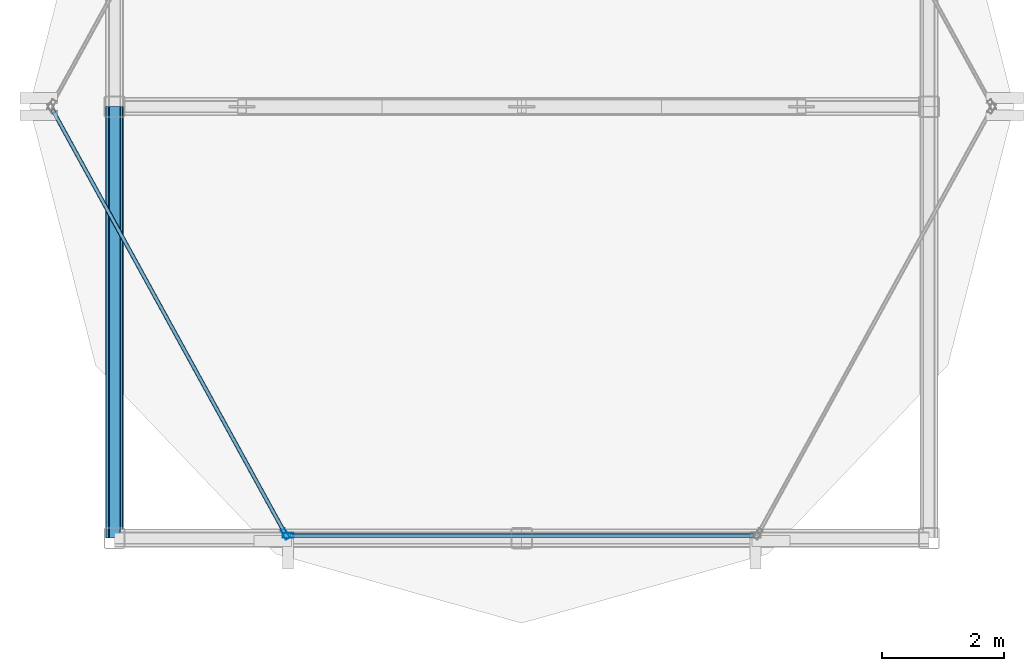
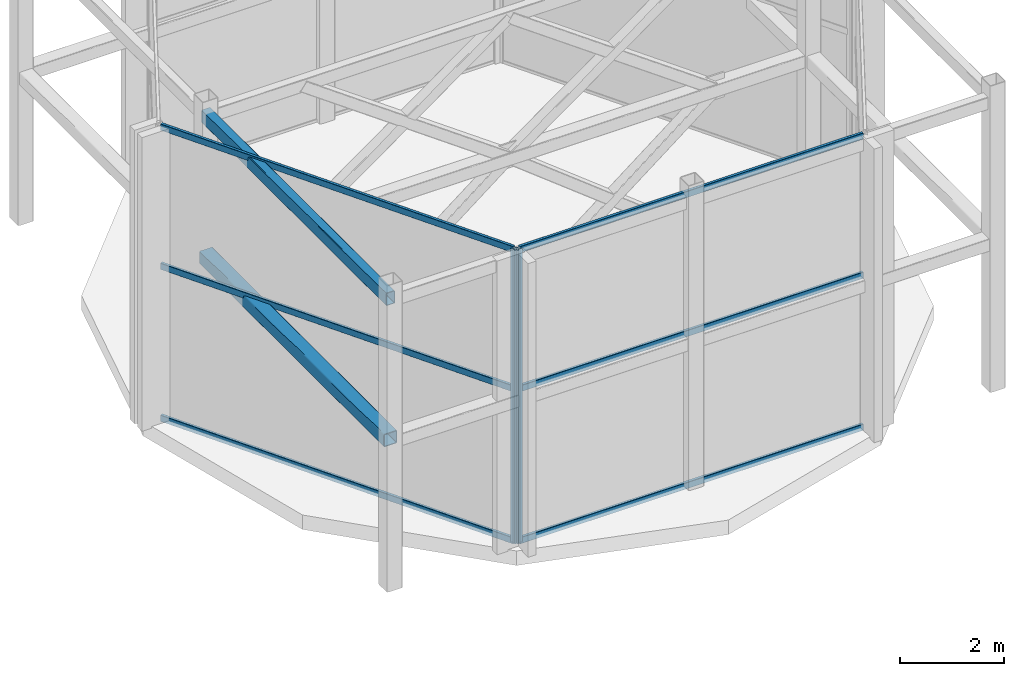
# One storey, part 2 of 8: 8 members, 2 beams, 2 elements without a shape of their own.
"""IFC4 building model written with IfcOpenShell, lengths in metres."""

from ifc_helpers import new_model, si_unit, direction, frame, origin, origin_2d, place, context, subcontext, project, spatial, hollow_rectangle, extrude, material, layer, layer_set, material_profile, profile_set, type_object, element, aggregate, save


model = new_model("IFC4")

# Units and contexts
model_context = context("Model", 3, precision=1e-05, world=origin(), true_north=direction((0.0, 1.0)))
body_context = subcontext(model_context, "Body", "Model", "MODEL_VIEW")
ifc_project = project(units=[si_unit("LENGTHUNIT", "METRE"), si_unit("AREAUNIT", "SQUARE_METRE"), si_unit("VOLUMEUNIT", "CUBIC_METRE"), si_unit("PLANEANGLEUNIT", "RADIAN"), si_unit("MASSUNIT", "GRAM", prefix="KILO")], contexts=[model_context])

# Site, building, storey
site_placement = place(None, origin())
site = spatial("IfcSite", under=ifc_project, at=site_placement, CompositionType="ELEMENT")
building_placement = place(site_placement, origin())
building = spatial("IfcBuilding", under=site, at=building_placement, Name="Solvaryn Broadcast Tower", CompositionType="ELEMENT")
storey_placement = place(building_placement, frame((0.0, 0.0, 322.199951171875)))
storey = spatial("IfcBuildingStorey", under=building, at=storey_placement, Name="Roof East", CompositionType="ELEMENT", Elevation=322.199951171875)

# Beams
ifc_material_1 = material(Name="Steel ASTM A500 Grade C", Category="steel")
ifc_material_profile_1 = material_profile(ifc_material_1, hollow_rectangle(XDim=0.199951171875, YDim=0.300048828125, WallThickness=0.011962890625, InnerFilletRadius=0.011962890625, OuterFilletRadius=0.02392578125, at=origin_2d()))
ifc_profile_set_1 = profile_set([ifc_material_profile_1], Name="Steel ASTM A500 Grade C")
beam_type_1 = type_object("IfcBeamType", Name="BM-CROWN-CAP", PredefinedType="BEAM", material=ifc_profile_set_1)
beam_1_placement = place(storey_placement, frame((11.199951171875, 35.300048828125, 6.75), z_axis=(0.0, -1.0, 0.0), x_axis=(1.0, 0.0, 0.0)))
element("IfcBeam", 1, at=beam_1_placement, inside=storey, type_object=beam_type_1, Name="Roof East CROWN FRAME Ring Beam WT2-8", PredefinedType="BEAM", context=body_context, shape_type="SweptSolid", body=[
    extrude(hollow_rectangle(XDim=0.199951171875, YDim=0.300048828125, WallThickness=0.011962890625, InnerFilletRadius=0.011962890625, OuterFilletRadius=0.02392578125, at=origin_2d()), origin(), (0.0, 0.0, 1.0), 7.10009765625),
])
ifc_material_2 = material(Name="Steel ASTM A500 Grade C", Category="steel")
ifc_material_profile_2 = material_profile(ifc_material_2, hollow_rectangle(XDim=0.300048828125, YDim=0.300048828125, WallThickness=0.01416015625, InnerFilletRadius=0.01416015625, OuterFilletRadius=0.0283203125, at=origin_2d()))
ifc_profile_set_2 = profile_set([ifc_material_profile_2], Name="Steel ASTM A500 Grade C")
beam_type_2 = type_object("IfcBeamType", Name="BM-CROWN-RING", PredefinedType="BEAM", material=ifc_profile_set_2)
beam_2_placement = place(storey_placement, frame((11.199951171875, 35.300048828125, 3.449951171875), z_axis=(0.0, -1.0, 0.0), x_axis=(1.0, 0.0, 0.0)))
element("IfcBeam", 2, at=beam_2_placement, inside=storey, type_object=beam_type_2, Name="Roof East CROWN FRAME Ring Beam WT1-8", PredefinedType="BEAM", context=body_context, shape_type="SweptSolid", body=[
    extrude(hollow_rectangle(XDim=0.300048828125, YDim=0.300048828125, WallThickness=0.01416015625, InnerFilletRadius=0.01416015625, OuterFilletRadius=0.0283203125, at=origin_2d()), origin(), (0.0, 0.0, 1.0), 7.10009765625),
])

# Curtain wall, member
ifc_material_3 = material(Name="Aluminium and Terracotta Unitised Curtain Wall", Category="masonry")
ifc_layer = layer(ifc_material_3, 0.2099609375)
ifc_layer_set = layer_set([ifc_layer], Name="CW-SYS6-CROWN")
curtain_wall_type = type_object("IfcCurtainWallType", Name="CW-SYS6-CROWN", PredefinedType="NOTDEFINED", material=ifc_layer_set)
curtain_wall_1_placement = place(storey_placement, origin())
curtain_wall_1 = element("IfcCurtainWall", 3, at=curtain_wall_1_placement, inside=storey, type_object=curtain_wall_type, Name="Roof East Split-Top Crown Curtain Wall W4", PredefinedType="NOTDEFINED")
ifc_material_4 = material(Name="Anodised Aluminium 6063-T6", Category="aluminium")
ifc_material_profile_3 = material_profile(ifc_material_4, hollow_rectangle(XDim=0.074951171875, YDim=0.179931640625, WallThickness=0.00390625, InnerFilletRadius=0.00390625, OuterFilletRadius=0.008056640625, at=origin_2d()))
ifc_profile_set_3 = profile_set([ifc_material_profile_3], Name="Anodised Aluminium 6063-T6")
member_type_1 = type_object("IfcMemberType", Name="CW-MUL-180", PredefinedType="MULLION", material=ifc_profile_set_3)
member_1_placement = place(storey_placement, frame((14.010498046875, 28.268310546875, 0.0), z_axis=(0.0, 0.0, 1.0), x_axis=(0.876577523452, 0.481260683391, 0.0)))
member_1 = element("IfcMember", 4, at=member_1_placement, type_object=member_type_1, Name="CWS6 mullion 2", PredefinedType="MULLION", context=body_context, shape_type="SweptSolid", body=[
    extrude(hollow_rectangle(XDim=0.074951171875, YDim=0.179931640625, WallThickness=0.00390625, InnerFilletRadius=0.00390625, OuterFilletRadius=0.008056640625, at=origin_2d()), origin(), (0.0, 0.0, 1.0), 6.900146484375),
])

curtain_wall_2_placement = place(storey_placement, origin())
curtain_wall_2 = element("IfcCurtainWall", 5, at=curtain_wall_2_placement, inside=storey, type_object=curtain_wall_type, Name="Roof East Split-Top Crown Curtain Wall W5", PredefinedType="NOTDEFINED")
member_2_placement = place(storey_placement, frame((14.054931640625, 28.241943359375, 0.0), z_axis=(0.0, 0.0, 1.0), x_axis=(0.0, 1.0, 0.0)))
member_2 = element("IfcMember", 6, at=member_2_placement, type_object=member_type_1, Name="CWS6 mullion 1", PredefinedType="MULLION", context=body_context, shape_type="SweptSolid", body=[
    extrude(hollow_rectangle(XDim=0.074951171875, YDim=0.179931640625, WallThickness=0.00390625, InnerFilletRadius=0.00390625, OuterFilletRadius=0.008056640625, at=origin_2d()), origin(), (0.0, 0.0, 1.0), 6.900146484375),
])

# Member
ifc_material_5 = material(Name="Anodised Aluminium 6063-T6", Category="aluminium")
ifc_material_profile_4 = material_profile(ifc_material_5, hollow_rectangle(XDim=0.06494140625, YDim=0.14990234375, WallThickness=0.00390625, InnerFilletRadius=0.00390625, OuterFilletRadius=0.008056640625, at=origin_2d()))
ifc_profile_set_4 = profile_set([ifc_material_profile_4], Name="Anodised Aluminium 6063-T6")
member_type_2 = type_object("IfcMemberType", Name="CW-TRN-150", PredefinedType="USERDEFINED", material=ifc_profile_set_4)
member_3_placement = place(storey_placement, frame((10.178955078125, 35.247314453125, 0.030029296875), z_axis=(0.481259275952, -0.876578296166, 0.0), x_axis=(0.876578296166, 0.481259275952, 0.0)))
member_3 = element("IfcMember", 7, at=member_3_placement, type_object=member_type_2, Name="CWS6 transom 1.1", ObjectType="TRANSOM", PredefinedType="USERDEFINED", context=body_context, shape_type="SweptSolid", body=[
    extrude(hollow_rectangle(XDim=0.06494140625, YDim=0.14990234375, WallThickness=0.00390625, InnerFilletRadius=0.00390625, OuterFilletRadius=0.008056640625, at=origin_2d()), origin(), (0.0, 0.0, 1.0), 7.931640625),
])

member_4_placement = place(storey_placement, frame((10.178955078125, 35.247314453125, 3.60009765625), z_axis=(0.481259275952, -0.876578296166, 0.0), x_axis=(0.876578296166, 0.481259275952, 0.0)))
member_4 = element("IfcMember", 8, at=member_4_placement, type_object=member_type_2, Name="CWS6 transom 1.2", ObjectType="TRANSOM", PredefinedType="USERDEFINED", context=body_context, shape_type="SweptSolid", body=[
    extrude(hollow_rectangle(XDim=0.06494140625, YDim=0.14990234375, WallThickness=0.00390625, InnerFilletRadius=0.00390625, OuterFilletRadius=0.008056640625, at=origin_2d()), origin(), (0.0, 0.0, 1.0), 7.931640625),
])

member_5_placement = place(storey_placement, frame((10.178955078125, 35.247314453125, 6.8701171875), z_axis=(0.481259275952, -0.876578296166, 0.0), x_axis=(0.876578296166, 0.481259275952, 0.0)))
member_5 = element("IfcMember", 9, at=member_5_placement, type_object=member_type_2, Name="CWS6 transom 1.3", ObjectType="TRANSOM", PredefinedType="USERDEFINED", context=body_context, shape_type="SweptSolid", body=[
    extrude(hollow_rectangle(XDim=0.06494140625, YDim=0.14990234375, WallThickness=0.00390625, InnerFilletRadius=0.00390625, OuterFilletRadius=0.008056640625, at=origin_2d()), origin(), (0.0, 0.0, 1.0), 7.931640625),
])

aggregate(curtain_wall_1, [member_1, member_3, member_4, member_5])

member_6_placement = place(storey_placement, frame((14.0849609375, 28.241943359375, 0.030029296875), z_axis=(1.0, 0.0, 0.0), x_axis=(0.0, 1.0, 0.0)))
member_6 = element("IfcMember", 10, at=member_6_placement, type_object=member_type_2, Name="CWS6 transom 1.1", ObjectType="TRANSOM", PredefinedType="USERDEFINED", context=body_context, shape_type="SweptSolid", body=[
    extrude(hollow_rectangle(XDim=0.06494140625, YDim=0.14990234375, WallThickness=0.00390625, InnerFilletRadius=0.00390625, OuterFilletRadius=0.008056640625, at=origin_2d()), origin(), (0.0, 0.0, 1.0), 7.630126953125),
])

member_7_placement = place(storey_placement, frame((14.0849609375, 28.241943359375, 3.60009765625), z_axis=(1.0, 0.0, 0.0), x_axis=(0.0, 1.0, 0.0)))
member_7 = element("IfcMember", 11, at=member_7_placement, type_object=member_type_2, Name="CWS6 transom 1.2", ObjectType="TRANSOM", PredefinedType="USERDEFINED", context=body_context, shape_type="SweptSolid", body=[
    extrude(hollow_rectangle(XDim=0.06494140625, YDim=0.14990234375, WallThickness=0.00390625, InnerFilletRadius=0.00390625, OuterFilletRadius=0.008056640625, at=origin_2d()), origin(), (0.0, 0.0, 1.0), 7.630126953125),
])

member_8_placement = place(storey_placement, frame((14.0849609375, 28.241943359375, 6.8701171875), z_axis=(1.0, 0.0, 0.0), x_axis=(0.0, 1.0, 0.0)))
member_8 = element("IfcMember", 12, at=member_8_placement, type_object=member_type_2, Name="CWS6 transom 1.3", ObjectType="TRANSOM", PredefinedType="USERDEFINED", context=body_context, shape_type="SweptSolid", body=[
    extrude(hollow_rectangle(XDim=0.06494140625, YDim=0.14990234375, WallThickness=0.00390625, InnerFilletRadius=0.00390625, OuterFilletRadius=0.008056640625, at=origin_2d()), origin(), (0.0, 0.0, 1.0), 7.630126953125),
])

aggregate(curtain_wall_2, [member_2, member_6, member_7, member_8])

save(model, "model.ifc")
